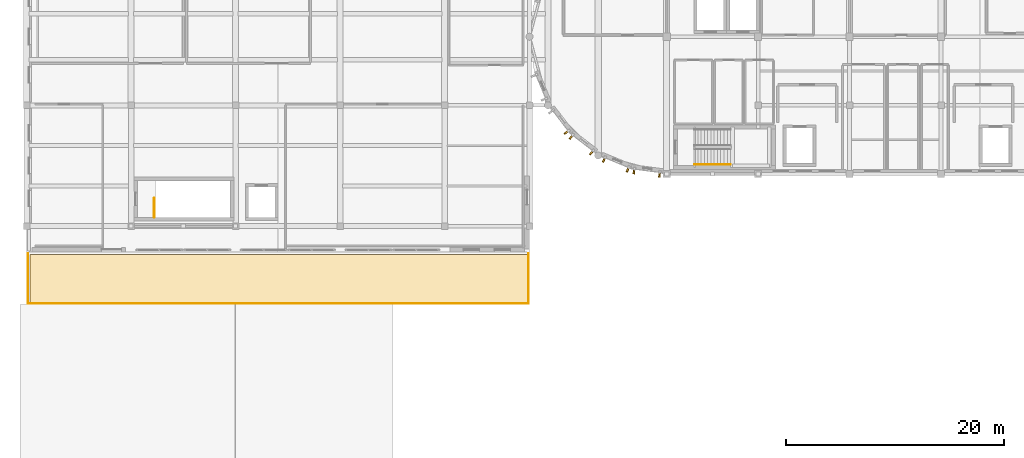
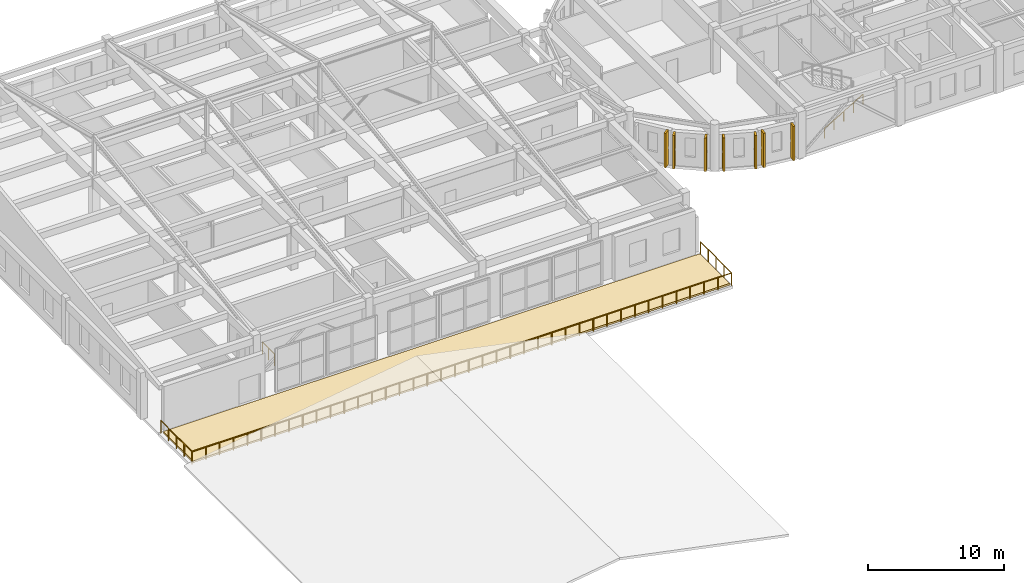
# One storey, part 23 of 29: 8 coverings, 3 railings.
"""IFC4 building model written with IfcOpenShell, lengths in metres."""

import ifcopenshell
import ifcopenshell.guid

model = None  # the IFC model being written
_history = None  # IfcOwnerHistory: only IFC2X3 demands one
_inside = {}  # id of a spatial element -> (the spatial element, [elements in it])
_under = {}  # id of a project, library or spatial element -> (it, [spatial elements below it])
_declared = {}  # id of a project -> (the project, [libraries it declares])
_typed = {}  # id of a type object -> (the type object, [elements of that type])
_made_of = {}  # id of a material, layer set ... -> (it, [elements and type objects made of it])


def new_model(schema):
    """Start an empty IFC model of exactly this schema.

    Asked for "IFC4X3", IfcOpenShell would pick the latest addendum, in which some entities
    have other attributes; the version numbers below select the first issue.
    IFC2X3 requires an IfcOwnerHistory on every rooted entity: one is made here for all.
    """
    global model, _history
    if schema == "IFC4X3":
        model = ifcopenshell.file(schema_version=(4, 3, 0, 0))
    else:
        model = ifcopenshell.file(schema=schema)
    _inside.clear()
    _under.clear()
    _declared.clear()
    _typed.clear()
    _made_of.clear()
    _history = None
    if model.schema == "IFC2X3":
        org = make("IfcOrganization", Name="unknown")
        user = make(
            "IfcPersonAndOrganization",
            ThePerson=make("IfcPerson", FamilyName="unknown"),
            TheOrganization=org,
        )
        app = make(
            "IfcApplication",
            ApplicationDeveloper=org,
            Version="unknown",
            ApplicationFullName="unknown",
            ApplicationIdentifier="unknown",
        )
        _history = make(
            "IfcOwnerHistory",
            OwningUser=user,
            OwningApplication=app,
            ChangeAction="ADDED",
            CreationDate=0,
        )
    return model


def make(cls, **values):
    """One entity of the class cls with the attributes given. An attribute that is None is left unset."""
    return model.create_entity(
        cls, **{name: value for name, value in values.items() if value is not None}
    )


def rooted(cls, **values):
    """An entity with a GlobalId (a new one), such as an element, a storey or a relation."""
    return make(cls, GlobalId=ifcopenshell.guid.new(), OwnerHistory=_history, **values)


def si_unit(unit_type, name, prefix=None):
    """IfcSIUnit, for example si_unit("LENGTHUNIT", "METRE", prefix="MILLI")."""
    return make("IfcSIUnit", UnitType=unit_type, Prefix=prefix, Name=name)


def assignment(units):
    """IfcUnitAssignment: the units of a project."""
    return None if units is None else make("IfcUnitAssignment", Units=units)


def point(xyz):
    """IfcCartesianPoint."""
    return None if xyz is None else make("IfcCartesianPoint", Coordinates=xyz)


def direction(xyz):
    """IfcDirection."""
    return None if xyz is None else make("IfcDirection", DirectionRatios=xyz)


def frame(location, z_axis=None, x_axis=None):
    """IfcAxis2Placement3D, a coordinate frame: its origin and axes. An axis left out is left unset."""
    return make(
        "IfcAxis2Placement3D",
        Location=point(location),
        Axis=direction(z_axis),
        RefDirection=direction(x_axis),
    )


def frame_2d(location, x_axis=None):
    """IfcAxis2Placement2D, a coordinate frame in the plane: its origin and x axis."""
    return make(
        "IfcAxis2Placement2D", Location=point(location), RefDirection=direction(x_axis)
    )


def origin():
    """The frame at (0, 0, 0) with its axes left unset."""
    return frame((0.0, 0.0, 0.0))


def origin_2d():
    """The frame at (0, 0) in the plane with its x axis left unset."""
    return frame_2d((0.0, 0.0))


def place(relative_to, where):
    """IfcLocalPlacement: puts the frame where relative to a parent placement (None: the world)."""
    return make(
        "IfcLocalPlacement", PlacementRelTo=relative_to, RelativePlacement=where
    )


def context(
    kind, dimensions, precision=None, world=None, true_north=None, identifier=None
):
    """IfcGeometricRepresentationContext, for example the 3D "Model" context."""
    return make(
        "IfcGeometricRepresentationContext",
        ContextIdentifier=identifier,
        ContextType=kind,
        CoordinateSpaceDimension=dimensions,
        Precision=precision,
        WorldCoordinateSystem=world,
        TrueNorth=true_north,
    )


def subcontext(parent, identifier, kind, view, scale=None):
    """IfcGeometricRepresentationSubContext, for example "Body" below "Model"."""
    return make(
        "IfcGeometricRepresentationSubContext",
        ContextIdentifier=identifier,
        ContextType=kind,
        ParentContext=parent,
        TargetScale=scale,
        TargetView=view,
    )


def project(units=None, contexts=None):
    """IfcProject with its units and contexts."""
    return rooted(
        "IfcProject",
        Name="project",
        RepresentationContexts=contexts,
        UnitsInContext=assignment(units),
    )


def spatial(cls, under=None, at=None, **own):
    """A site, building, storey or space (cls), placed at a placement, below another one or the project."""
    s = rooted(cls, ObjectPlacement=at, **own)
    if under is not None:
        _under.setdefault(under.id(), (under, []))[1].append(s)
    return s


def polyline(points):
    """IfcPolyline through the points."""
    return make("IfcPolyline", Points=[point(p) for p in points])


def profile(cls, at=None, kind="AREA", **sizes):
    """A parametric profile (cls). Its sizes go by their IFC names, for example OverallWidth=200.0."""
    return make(cls, ProfileType=kind, Position=at, **sizes)


def rectangle(**sizes):
    """IfcRectangleProfileDef."""
    return profile("IfcRectangleProfileDef", **sizes)


def circle(**sizes):
    """IfcCircleProfileDef."""
    return profile("IfcCircleProfileDef", **sizes)


def outline(outer, holes=None, kind="AREA"):
    """IfcArbitraryClosedProfileDef: a profile drawn as a closed curve; with holes, ...WithVoids."""
    if holes is None:
        return make("IfcArbitraryClosedProfileDef", ProfileType=kind, OuterCurve=outer)
    return make(
        "IfcArbitraryProfileDefWithVoids",
        ProfileType=kind,
        OuterCurve=outer,
        InnerCurves=holes,
    )


def extrude(swept, where, along, depth):
    """IfcExtrudedAreaSolid: the profile swept, set in the frame where, extruded along a direction by depth."""
    return make(
        "IfcExtrudedAreaSolid",
        SweptArea=swept,
        Position=where,
        ExtrudedDirection=direction(along),
        Depth=depth,
    )


def shape(context_of_items, identifier, shape_type, items):
    """IfcShapeRepresentation: the items that make up one representation, for example the "Body"."""
    return make(
        "IfcShapeRepresentation",
        ContextOfItems=context_of_items,
        RepresentationIdentifier=identifier,
        RepresentationType=shape_type,
        Items=items,
    )


def material(Name=None, Category=None):
    """IfcMaterial."""
    return make("IfcMaterial", Name=Name, Category=Category)


def layer(
    of_material, thickness, ventilated=None, Name=None, Category=None, Priority=None
):
    """IfcMaterialLayer: one layer of a wall or slab, of a material (None: an air gap)."""
    return make(
        "IfcMaterialLayer",
        Material=of_material,
        LayerThickness=thickness,
        IsVentilated=ventilated,
        Name=Name,
        Category=Category,
        Priority=Priority,
    )


def layer_set(layers, Name=None):
    """IfcMaterialLayerSet."""
    return make("IfcMaterialLayerSet", MaterialLayers=layers, LayerSetName=Name)


def made_of(thing, what):
    """Note that an element or type object is made of a material, layer set ...; save() writes the relation."""
    if what is not None:
        _made_of.setdefault(what.id(), (what, []))[1].append(thing)
    return thing


def type_object(cls, material=None, **own):
    """A type object (cls), such as IfcWallType, which elements share."""
    return made_of(rooted(cls, **own), material)


def element(
    cls,
    number,
    at=None,
    inside=None,
    cuts=None,
    type_object=None,
    material=None,
    context=None,
    identifier="Body",
    shape_type=None,
    held_by="IfcProductDefinitionShape",
    body=None,
    shapes=None,
    **own,
):
    """One element of the class cls, such as IfcWall. Its Tag is "e" and its number.

    at: its placement. inside: the storey or other place that contains it. cuts: it is an
    opening in that element (IfcRelVoidsElement). A single representation is given by context,
    identifier, shape_type and body (its items); several are given by shapes. held_by: the class
    of the entity that holds the representations. save() writes the other relations.
    """
    e = rooted(cls, Tag="e%d" % number, ObjectPlacement=at, **own)
    if body is not None:
        shapes = [shape(context, identifier, shape_type, body)]
    if shapes is not None:
        e.Representation = make(held_by, Representations=shapes)
    if inside is not None:
        _inside.setdefault(inside.id(), (inside, []))[1].append(e)
    if cuts is not None:
        rooted(
            "IfcRelVoidsElement", RelatingBuildingElement=cuts, RelatedOpeningElement=e
        )
    if type_object is not None:
        _typed.setdefault(type_object.id(), (type_object, []))[1].append(e)
    return made_of(e, material)


def aggregate(whole, parts):
    """IfcRelAggregates: a whole, such as a stair, and the parts it consists of."""
    return rooted("IfcRelAggregates", RelatingObject=whole, RelatedObjects=parts)


def save(model, path):
    """Write the relations noted so far, then the file.

    IfcRelAggregates (storeys below a building ...), IfcRelContainedInSpatialStructure (elements
    in a storey), IfcRelDefinesByType, IfcRelAssociatesMaterial and IfcRelDeclares: one each for
    every whole, place, type object, material and project.
    """
    for whole, parts in _under.values():
        aggregate(whole, parts)
    for where, things in _inside.values():
        rooted(
            "IfcRelContainedInSpatialStructure",
            RelatedElements=things,
            RelatingStructure=where,
        )
    for kind, things in _typed.values():
        rooted("IfcRelDefinesByType", RelatedObjects=things, RelatingType=kind)
    for what, things in _made_of.values():
        rooted("IfcRelAssociatesMaterial", RelatedObjects=things, RelatingMaterial=what)
    for by, libraries in _declared.values():
        rooted("IfcRelDeclares", RelatingContext=by, RelatedDefinitions=libraries)
    model.write(path)


model = new_model("IFC4")

# Units and contexts
model_context = context("Model", 3, precision=1e-05, world=origin(), true_north=direction((0.0, 1.0)))
body_context = subcontext(model_context, "Body", "Model", "MODEL_VIEW")
ifc_project = project(units=[si_unit("LENGTHUNIT", "METRE"), si_unit("AREAUNIT", "SQUARE_METRE"), si_unit("VOLUMEUNIT", "CUBIC_METRE"), si_unit("PLANEANGLEUNIT", "RADIAN"), si_unit("MASSUNIT", "GRAM", prefix="KILO")], contexts=[model_context])

# Site, building, storey
site_placement = place(None, origin())
site = spatial("IfcSite", under=ifc_project, at=site_placement, CompositionType="ELEMENT")
building_placement = place(site_placement, origin())
building = spatial("IfcBuilding", under=site, at=building_placement, Name="Tarnavel Promenade Courthouse", CompositionType="ELEMENT")
storey_placement = place(building_placement, frame((0.0, 0.0, 22.800048828125)))
storey = spatial("IfcBuildingStorey", under=building, at=storey_placement, Name="L06", CompositionType="ELEMENT", Elevation=22.800048828125)

# Railings
ifc_material_1 = material(Name="Brushed Bronze Tubular Stair Handrail")
railing_type_1 = type_object("IfcRailingType", Name="Brushed Bronze Tubular Stair Handrail (RL-HND-0900)", PredefinedType="HANDRAIL", material=ifc_material_1)
railing_1_placement = place(storey_placement, frame((61.360107421875, 80.050048828125, 0.175048828125)))
element("IfcRailing", 1, at=railing_1_placement, inside=storey, type_object=railing_type_1, Name="L06 ST-01 stair handrail 1", PredefinedType="HANDRAIL", context=body_context, shape_type="SweptSolid", body=[
    extrude(circle(Radius=0.02392578125, at=origin_2d()), frame((0.0, 0.0, 0.8759765625), z_axis=(0.863788172461, 0.0, 0.503855131081), x_axis=(0.0, 1.0, 0.0)), (0.0, 0.0, 1.0), 3.820068359375),
    extrude(circle(Radius=0.02099609375, at=origin_2d()), origin(), (0.0, 0.0, 1.0), 0.851806640625),
    extrude(circle(Radius=0.02099609375, at=origin_2d()), frame((0.824951171875, 0.0, 0.481201171875)), (0.0, 0.0, 1.0), 0.851806640625),
    extrude(circle(Radius=0.02099609375, at=origin_2d()), frame((1.64990234375, 0.0, 0.96240234375)), (0.0, 0.0, 1.0), 0.851806640625),
    extrude(circle(Radius=0.02099609375, at=origin_2d()), frame((2.474853515625, 0.0, 1.443603515625)), (0.0, 0.0, 1.0), 0.851806640625),
    extrude(circle(Radius=0.02099609375, at=origin_2d()), frame((3.2998046875, 0.0, 1.9248046875)), (0.0, 0.0, 1.0), 0.851806640625),
])
ifc_material_2 = material(Name="Carved Limestone and Bronze Terrace Balustrade", Category="masonry")
railing_type_2 = type_object("IfcRailingType", Name="Carved Limestone and Bronze Terrace Balustrade (RL-BAL-1150)", PredefinedType="BALUSTRADE", material=ifc_material_2)
railing_2_placement = place(storey_placement, frame((0.14990234375, 71.89990234375, 0.0)))
element("IfcRailing", 2, at=railing_2_placement, inside=storey, type_object=railing_type_2, Name="L06 Trial Wing Roof-Garden Terrace Perimeter Balustrade", PredefinedType="BALUSTRADE", context=body_context, shape_type="SweptSolid", body=[
    extrude(circle(Radius=0.02392578125, at=origin_2d()), frame((0.0, 0.0, 1.1259765625), z_axis=(0.0, -1.0, 0.0), x_axis=(1.0, 0.0, 0.0)), (0.0, 0.0, 1.0), 4.599853515625),
    extrude(circle(Radius=0.02392578125, at=origin_2d()), frame((0.0, -4.599853515625, 1.1259765625), z_axis=(1.0, 0.0, 0.0), x_axis=(0.0, 1.0, 0.0)), (0.0, 0.0, 1.0), 45.9501953125),
    extrude(circle(Radius=0.02392578125, at=origin_2d()), frame((45.9501953125, -4.599853515625, 1.1259765625), z_axis=(0.0, 1.0, 0.0), x_axis=(-1.0, 0.0, 0.0)), (0.0, 0.0, 1.0), 4.599853515625),
    extrude(circle(Radius=0.02099609375, at=origin_2d()), origin(), (0.0, 0.0, 1.0), 1.101806640625),
    extrude(circle(Radius=0.02099609375, at=origin_2d()), frame((0.0, -1.14990234375, 0.0)), (0.0, 0.0, 1.0), 1.101806640625),
    extrude(circle(Radius=0.02099609375, at=origin_2d()), frame((0.0, -2.2998046875, 0.0)), (0.0, 0.0, 1.0), 1.101806640625),
    extrude(circle(Radius=0.02099609375, at=origin_2d()), frame((0.0, -3.449951171875, 0.0)), (0.0, 0.0, 1.0), 1.101806640625),
    extrude(circle(Radius=0.02099609375, at=origin_2d()), frame((0.0, -4.599853515625, 0.0)), (0.0, 0.0, 1.0), 1.101806640625),
    extrude(circle(Radius=0.02099609375, at=origin_2d()), frame((1.17822265625, -4.599853515625, 0.0)), (0.0, 0.0, 1.0), 1.101806640625),
    extrude(circle(Radius=0.02099609375, at=origin_2d()), frame((2.3564453125, -4.599853515625, 0.0)), (0.0, 0.0, 1.0), 1.101806640625),
    extrude(circle(Radius=0.02099609375, at=origin_2d()), frame((3.53466796875, -4.599853515625, 0.0)), (0.0, 0.0, 1.0), 1.101806640625),
    extrude(circle(Radius=0.02099609375, at=origin_2d()), frame((4.712890625, -4.599853515625, 0.0)), (0.0, 0.0, 1.0), 1.101806640625),
    extrude(circle(Radius=0.02099609375, at=origin_2d()), frame((5.89111328125, -4.599853515625, 0.0)), (0.0, 0.0, 1.0), 1.101806640625),
    extrude(circle(Radius=0.02099609375, at=origin_2d()), frame((7.0693359375, -4.599853515625, 0.0)), (0.0, 0.0, 1.0), 1.101806640625),
    extrude(circle(Radius=0.02099609375, at=origin_2d()), frame((8.24755859375, -4.599853515625, 0.0)), (0.0, 0.0, 1.0), 1.101806640625),
    extrude(circle(Radius=0.02099609375, at=origin_2d()), frame((9.42578125, -4.599853515625, 0.0)), (0.0, 0.0, 1.0), 1.101806640625),
    extrude(circle(Radius=0.02099609375, at=origin_2d()), frame((10.60400390625, -4.599853515625, 0.0)), (0.0, 0.0, 1.0), 1.101806640625),
    extrude(circle(Radius=0.02099609375, at=origin_2d()), frame((11.781982421875, -4.599853515625, 0.0)), (0.0, 0.0, 1.0), 1.101806640625),
    extrude(circle(Radius=0.02099609375, at=origin_2d()), frame((12.960205078125, -4.599853515625, 0.0)), (0.0, 0.0, 1.0), 1.101806640625),
    extrude(circle(Radius=0.02099609375, at=origin_2d()), frame((14.138427734375, -4.599853515625, 0.0)), (0.0, 0.0, 1.0), 1.101806640625),
    extrude(circle(Radius=0.02099609375, at=origin_2d()), frame((15.316650390625, -4.599853515625, 0.0)), (0.0, 0.0, 1.0), 1.101806640625),
    extrude(circle(Radius=0.02099609375, at=origin_2d()), frame((16.494873046875, -4.599853515625, 0.0)), (0.0, 0.0, 1.0), 1.101806640625),
    extrude(circle(Radius=0.02099609375, at=origin_2d()), frame((17.673095703125, -4.599853515625, 0.0)), (0.0, 0.0, 1.0), 1.101806640625),
    extrude(circle(Radius=0.02099609375, at=origin_2d()), frame((18.851318359375, -4.599853515625, 0.0)), (0.0, 0.0, 1.0), 1.101806640625),
    extrude(circle(Radius=0.02099609375, at=origin_2d()), frame((20.029541015625, -4.599853515625, 0.0)), (0.0, 0.0, 1.0), 1.101806640625),
    extrude(circle(Radius=0.02099609375, at=origin_2d()), frame((21.207763671875, -4.599853515625, 0.0)), (0.0, 0.0, 1.0), 1.101806640625),
    extrude(circle(Radius=0.02099609375, at=origin_2d()), frame((22.385986328125, -4.599853515625, 0.0)), (0.0, 0.0, 1.0), 1.101806640625),
    extrude(circle(Radius=0.02099609375, at=origin_2d()), frame((23.564208984375, -4.599853515625, 0.0)), (0.0, 0.0, 1.0), 1.101806640625),
    extrude(circle(Radius=0.02099609375, at=origin_2d()), frame((24.742431640625, -4.599853515625, 0.0)), (0.0, 0.0, 1.0), 1.101806640625),
    extrude(circle(Radius=0.02099609375, at=origin_2d()), frame((25.920654296875, -4.599853515625, 0.0)), (0.0, 0.0, 1.0), 1.101806640625),
    extrude(circle(Radius=0.02099609375, at=origin_2d()), frame((27.098876953125, -4.599853515625, 0.0)), (0.0, 0.0, 1.0), 1.101806640625),
    extrude(circle(Radius=0.02099609375, at=origin_2d()), frame((28.277099609375, -4.599853515625, 0.0)), (0.0, 0.0, 1.0), 1.101806640625),
    extrude(circle(Radius=0.02099609375, at=origin_2d()), frame((29.455322265625, -4.599853515625, 0.0)), (0.0, 0.0, 1.0), 1.101806640625),
    extrude(circle(Radius=0.02099609375, at=origin_2d()), frame((30.633544921875, -4.599853515625, 0.0)), (0.0, 0.0, 1.0), 1.101806640625),
    extrude(circle(Radius=0.02099609375, at=origin_2d()), frame((31.811767578125, -4.599853515625, 0.0)), (0.0, 0.0, 1.0), 1.101806640625),
    extrude(circle(Radius=0.02099609375, at=origin_2d()), frame((32.989990234375, -4.599853515625, 0.0)), (0.0, 0.0, 1.0), 1.101806640625),
    extrude(circle(Radius=0.02099609375, at=origin_2d()), frame((34.168212890625, -4.599853515625, 0.0)), (0.0, 0.0, 1.0), 1.101806640625),
    extrude(circle(Radius=0.02099609375, at=origin_2d()), frame((35.34619140625, -4.599853515625, 0.0)), (0.0, 0.0, 1.0), 1.101806640625),
    extrude(circle(Radius=0.02099609375, at=origin_2d()), frame((36.5244140625, -4.599853515625, 0.0)), (0.0, 0.0, 1.0), 1.101806640625),
    extrude(circle(Radius=0.02099609375, at=origin_2d()), frame((37.70263671875, -4.599853515625, 0.0)), (0.0, 0.0, 1.0), 1.101806640625),
    extrude(circle(Radius=0.02099609375, at=origin_2d()), frame((38.880859375, -4.599853515625, 0.0)), (0.0, 0.0, 1.0), 1.101806640625),
    extrude(circle(Radius=0.02099609375, at=origin_2d()), frame((40.05908203125, -4.599853515625, 0.0)), (0.0, 0.0, 1.0), 1.101806640625),
    extrude(circle(Radius=0.02099609375, at=origin_2d()), frame((41.2373046875, -4.599853515625, 0.0)), (0.0, 0.0, 1.0), 1.101806640625),
    extrude(circle(Radius=0.02099609375, at=origin_2d()), frame((42.41552734375, -4.599853515625, 0.0)), (0.0, 0.0, 1.0), 1.101806640625),
    extrude(circle(Radius=0.02099609375, at=origin_2d()), frame((43.59375, -4.599853515625, 0.0)), (0.0, 0.0, 1.0), 1.101806640625),
    extrude(circle(Radius=0.02099609375, at=origin_2d()), frame((44.77197265625, -4.599853515625, 0.0)), (0.0, 0.0, 1.0), 1.101806640625),
    extrude(circle(Radius=0.02099609375, at=origin_2d()), frame((45.9501953125, -4.599853515625, 0.0)), (0.0, 0.0, 1.0), 1.101806640625),
    extrude(circle(Radius=0.02099609375, at=origin_2d()), frame((45.9501953125, -3.449951171875, 0.0)), (0.0, 0.0, 1.0), 1.101806640625),
    extrude(circle(Radius=0.02099609375, at=origin_2d()), frame((45.9501953125, -2.2998046875, 0.0)), (0.0, 0.0, 1.0), 1.101806640625),
    extrude(circle(Radius=0.02099609375, at=origin_2d()), frame((45.9501953125, -1.14990234375, 0.0)), (0.0, 0.0, 1.0), 1.101806640625),
    extrude(circle(Radius=0.02099609375, at=origin_2d()), frame((45.9501953125, 0.0, 0.0)), (0.0, 0.0, 1.0), 1.101806640625),
])
ifc_material_3 = material(Name="Painted Architectural Steel Core Stair Guardrail", Category="steel")
railing_type_3 = type_object("IfcRailingType", Name="Painted Architectural Steel Core Stair Guardrail (RL-GRD-1100)", PredefinedType="GUARDRAIL", material=ifc_material_3)
railing_3_placement = place(storey_placement, frame((11.72998046875, 75.199951171875, 0.0)))
element("IfcRailing", 3, at=railing_3_placement, inside=storey, type_object=railing_type_3, Name="L06 ST-04 top well guard 1", PredefinedType="GUARDRAIL", context=body_context, shape_type="SweptSolid", body=[
    extrude(circle(Radius=0.02392578125, at=origin_2d()), frame((0.0, 0.0, 1.076171875), z_axis=(0.0, 1.0, 0.0), x_axis=(-1.0, 0.0, 0.0)), (0.0, 0.0, 1.0), 1.780029296875),
    extrude(circle(Radius=0.02099609375, at=origin_2d()), origin(), (0.0, 0.0, 1.0), 1.052001953125),
    extrude(circle(Radius=0.02099609375, at=origin_2d()), frame((0.0, 0.89013671875, 0.0)), (0.0, 0.0, 1.0), 1.052001953125),
    extrude(circle(Radius=0.02099609375, at=origin_2d()), frame((0.0, 1.780029296875, 0.0)), (0.0, 0.0, 1.0), 1.052001953125),
])

# Coverings
ifc_material_4 = material(Name="Patinated Copper-Bronze Fluted Pier Cladding")
ifc_layer_1 = layer(ifc_material_4, 0.52001953125)
ifc_layer_set_1 = layer_set([ifc_layer_1], Name="Patinated Copper-Bronze Fluted Pier Cladding")
covering_type_1 = type_object("IfcCoveringType", Name="Patinated Copper-Bronze Fluted Pier Cladding COV-PIER-520 (520 mm)", PredefinedType="CLADDING", material=ifc_layer_set_1)
covering_1_placement = place(storey_placement, frame((49.60888671875, 83.02734375, 0.0), z_axis=(0.0, 0.0, 1.0), x_axis=(0.608761429009, -0.793353340291, 0.0)))
element("IfcCovering", 4, at=covering_1_placement, inside=storey, type_object=covering_type_1, Name="L06 W Drum Fluted Copper Pier 0192", PredefinedType="CLADDING", context=body_context, shape_type="SweptSolid", body=[
    extrude(rectangle(XDim=0.159912109375, YDim=0.52001953125, at=origin_2d()), origin(), (0.0, 0.0, 1.0), 3.10009765625),
])
for number, where, z_axis, x_axis, name in (
    (5, (50.02734375, 82.60888671875, 0.0), (0.0, 0.0, 1.0), (0.793353340291, -0.608761429009, 0.0), "L06 W Drum Fluted Copper Pier 0193"),
    (6, (51.903076171875, 81.169677734375, 0.0), (0.0, 0.0, 1.0), (0.793353340291, -0.608761429009, 0.0), "L06 W Drum Fluted Copper Pier 0194"),
    (7, (53.042236328125, 80.511962890625, 0.0), (0.0, 0.0, 1.0), (0.923879532511, -0.382683432365, 0.0), "L06 W Drum Fluted Copper Pier 0195"),
    (8, (55.2265625, 79.607177734375, 0.0), (0.0, 0.0, 1.0), (0.923879532511, -0.382683432365, 0.0), "L06 W Drum Fluted Copper Pier 0196"),
):
    element("IfcCovering", number, at=place(storey_placement, frame(where, z_axis=z_axis, x_axis=x_axis)), inside=storey, type_object=covering_type_1, Name=name, PredefinedType="CLADDING", context=body_context, shape_type="SweptSolid", body=[
        extrude(rectangle(XDim=0.159912109375, YDim=0.52001953125, at=origin_2d()), origin(), (0.0, 0.0, 1.0), 3.0),
    ])
for number, where, z_axis, x_axis, name in (
    (9, (55.798095703125, 79.4541015625, 0.0), (0.0, 0.0, 1.0), (0.991444861374, -0.13052619222, 0.0), "L06 W Drum Fluted Copper Pier 0197"),
    (10, (58.14208984375, 79.1455078125, 0.0), (0.0, 0.0, 1.0), (0.991444861374, -0.13052619222, 0.0), "L06 W Drum Fluted Copper Pier 0198"),
):
    element("IfcCovering", number, at=place(storey_placement, frame(where, z_axis=z_axis, x_axis=x_axis)), inside=storey, type_object=covering_type_1, Name=name, PredefinedType="CLADDING", context=body_context, shape_type="SweptSolid", body=[
        extrude(rectangle(XDim=0.159912109375, YDim=0.52001953125, at=origin_2d()), origin(), (0.0, 0.0, 1.0), 3.10009765625),
    ])
ifc_material_5 = material(Name="Subarctic Sedum Planted Roof-Garden Build-Up")
ifc_layer_2 = layer(ifc_material_5, 0.159912109375)
ifc_layer_set_2 = layer_set([ifc_layer_2], Name="Subarctic Sedum Planted Roof-Garden Build-Up")
covering_type_2 = type_object("IfcCoveringType", Name="Subarctic Sedum Planted Roof-Garden Build-Up COV-RF-GREEN-160 (160 mm)", PredefinedType="ROOFING", material=ifc_layer_set_2)
covering_2_placement = place(storey_placement, origin())
element("IfcCovering", 11, at=covering_2_placement, inside=storey, type_object=covering_type_2, Name="L06 Trial Wing South Planted Roof-Garden Build-Up", PredefinedType="ROOFING", context=body_context, shape_type="SweptSolid", body=[
    extrude(outline(polyline([(0.300048828125, 67.39990234375), (46.0, 67.39990234375), (46.0, 71.800048828125), (0.300048828125, 71.800048828125), (0.300048828125, 67.39990234375)])), origin(), (0.0, 0.0, 1.0), 0.159912109375),
])

save(model, "model.ifc")
